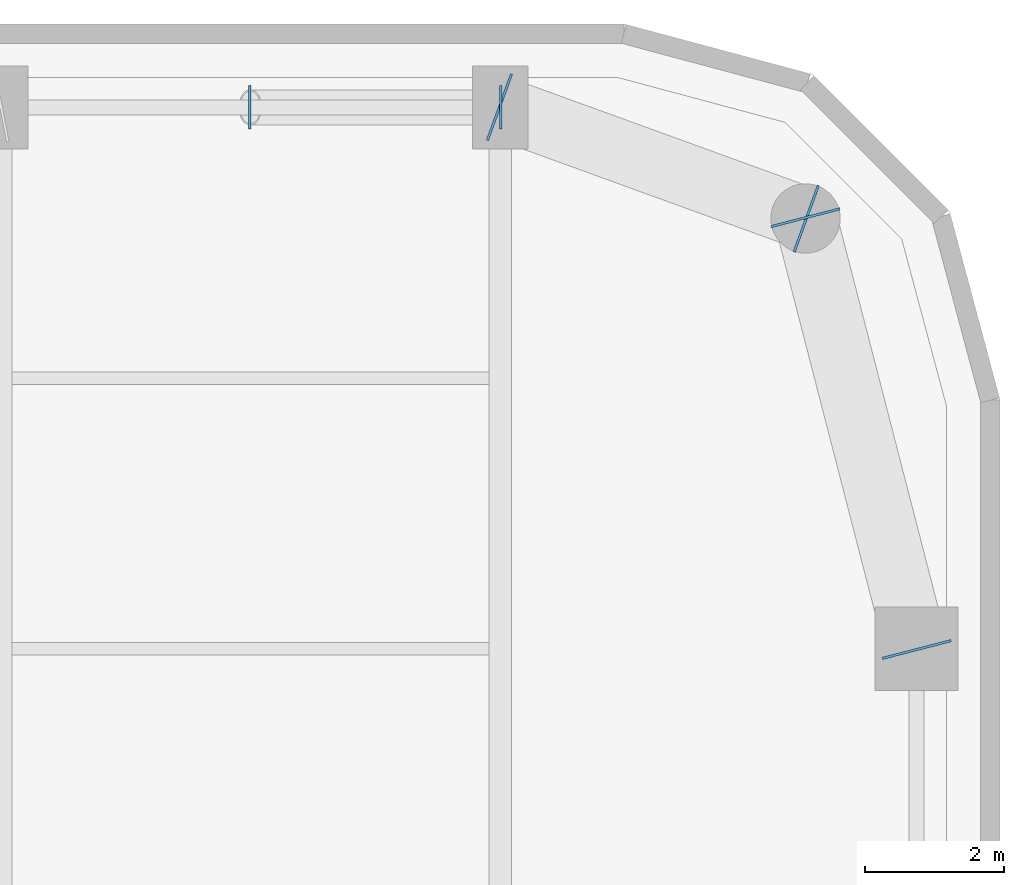
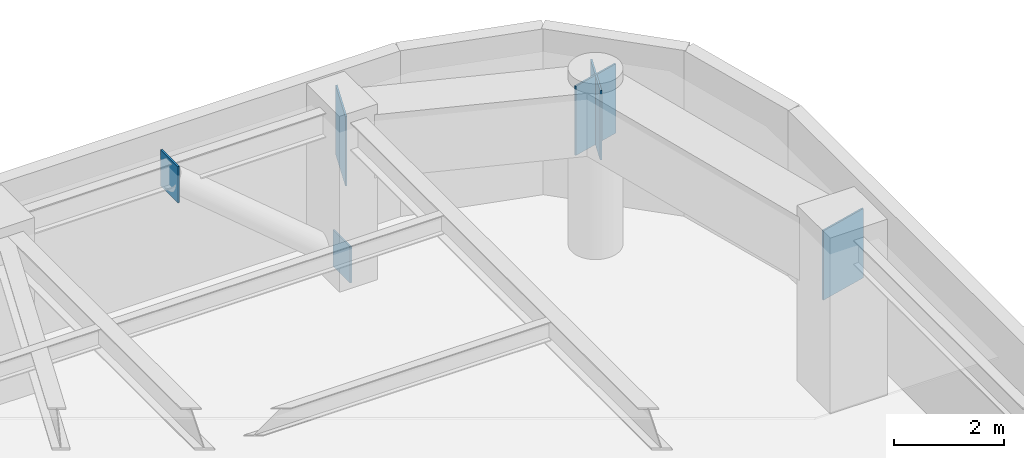
# One storey, part 23 of 30: 6 plates.
"""IFC4 building model written with IfcOpenShell, lengths in metres."""

from ifc_helpers import new_model, si_unit, direction, frame, origin, origin_2d, place, context, subcontext, project, spatial, rectangle, extrude, material, layer, layer_set, type_object, element, save


model = new_model("IFC4")

# Units and contexts
model_context = context("Model", 3, precision=1e-05, world=origin(), true_north=direction((0.0, 1.0)))
body_context = subcontext(model_context, "Body", "Model", "MODEL_VIEW")
ifc_project = project(units=[si_unit("LENGTHUNIT", "METRE"), si_unit("AREAUNIT", "SQUARE_METRE"), si_unit("VOLUMEUNIT", "CUBIC_METRE"), si_unit("PLANEANGLEUNIT", "RADIAN"), si_unit("MASSUNIT", "GRAM", prefix="KILO")], contexts=[model_context])

# Site, building, storey
site_placement = place(None, origin())
site = spatial("IfcSite", under=ifc_project, at=site_placement, CompositionType="ELEMENT")
building_placement = place(site_placement, origin())
building = spatial("IfcBuilding", under=site, at=building_placement, Name="Kiyonajd Concourse Tower", CompositionType="ELEMENT")
storey_placement = place(building_placement, frame((0.0, 0.0, 201.89990234375)))
storey = spatial("IfcBuildingStorey", under=building, at=storey_placement, Name="L51", CompositionType="ELEMENT", Elevation=201.89990234375)

# Plates
ifc_material = material(Name="Steel ASTM A572 Grade 50", Category="steel")
ifc_layer_1 = layer(ifc_material, 0.028076171875)
ifc_layer_set_1 = layer_set([ifc_layer_1], Name="Steel ASTM A572 Grade 50")
plate_type_1 = type_object("IfcPlateType", Name="PL-CAP-450", PredefinedType="USERDEFINED", material=ifc_layer_set_1)
for number, where, z_axis, x_axis, name in (
    (1, (63.6083984375, 61.199951171875, -0.10888671875), (0.0, 0.0, 1.0), (1.0, 0.0, 0.0), "L51 Hollow Brace End Cap Plate PBN"),
    (2, (59.99169921875, 61.199951171875, 2.93505859375), (0.0, 0.0, 1.0), (-1.0, 0.0, 0.0), "L51 Hollow Brace Top Cap Plate PBN"),
):
    element("IfcPlate", number, at=place(storey_placement, frame(where, z_axis=z_axis, x_axis=x_axis)), inside=storey, type_object=plate_type_1, Name=name, ObjectType="CAP PLATE", PredefinedType="USERDEFINED", context=body_context, shape_type="SweptSolid", body=[
        extrude(rectangle(XDim=0.035888671875, YDim=0.6279296875, at=origin_2d()), origin(), (0.0, 0.0, 1.0), 0.803955078125),
    ])
ifc_layer_2 = layer(ifc_material, 0.031982421875)
ifc_layer_set_2 = layer_set([ifc_layer_2], Name="Steel ASTM A572 Grade 50")
plate_type_2 = type_object("IfcPlateType", Name="PL-CAP-540", PredefinedType="USERDEFINED", material=ifc_layer_set_2)
for number, where, z_axis, x_axis, name in (
    (3, (69.602783203125, 53.389404296875, 2.2099609375), (0.0, 0.0, 1.0), (0.249873048837, -0.968278606324, 0.0), "L51 Welded Box Girder End Cap"),
    (4, (67.997314453125, 59.610595703125, 2.2099609375), (0.0, 0.0, 1.0), (-0.249873048837, 0.968278606324, 0.0), "L51 Welded Box Girder End Cap"),
    (5, (68.01025390625, 59.59619140625, 2.2099609375), (0.0, 0.0, 1.0), (0.939811951086, -0.341692107891, 0.0), "L51 Welded Box Girder End Cap"),
    (6, (63.589599609375, 61.203857421875, 2.2099609375), (0.0, 0.0, 1.0), (-0.939811951086, 0.341692107891, 0.0), "L51 Welded Box Girder End Cap"),
):
    element("IfcPlate", number, at=place(storey_placement, frame(where, z_axis=z_axis, x_axis=x_axis)), inside=storey, type_object=plate_type_2, Name=name, ObjectType="CAP PLATE", PredefinedType="USERDEFINED", context=body_context, shape_type="SweptSolid", body=[
        extrude(rectangle(XDim=0.035888671875, YDim=1.02001953125, at=origin_2d()), origin(), (0.0, 0.0, 1.0), 1.5400390625),
    ])

save(model, "model.ifc")
